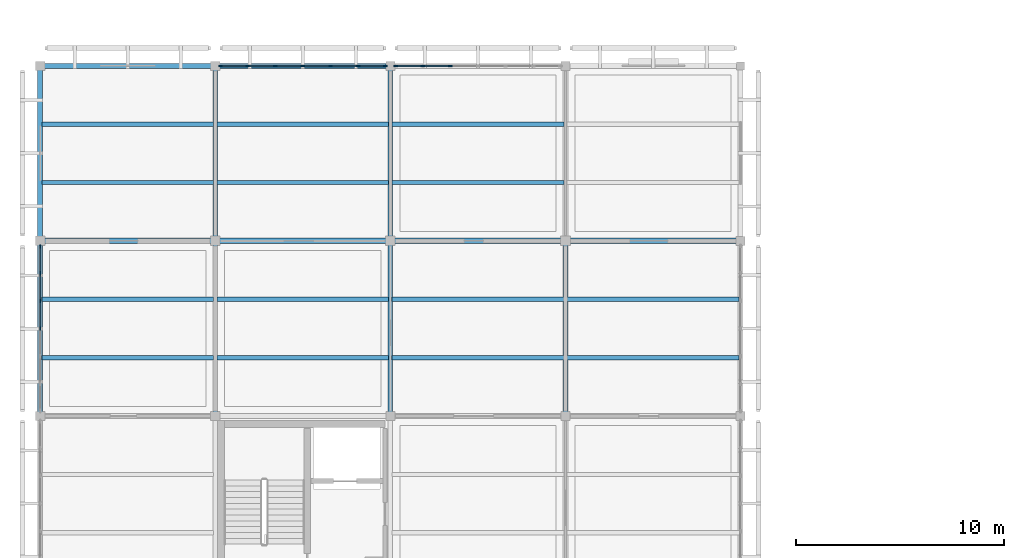
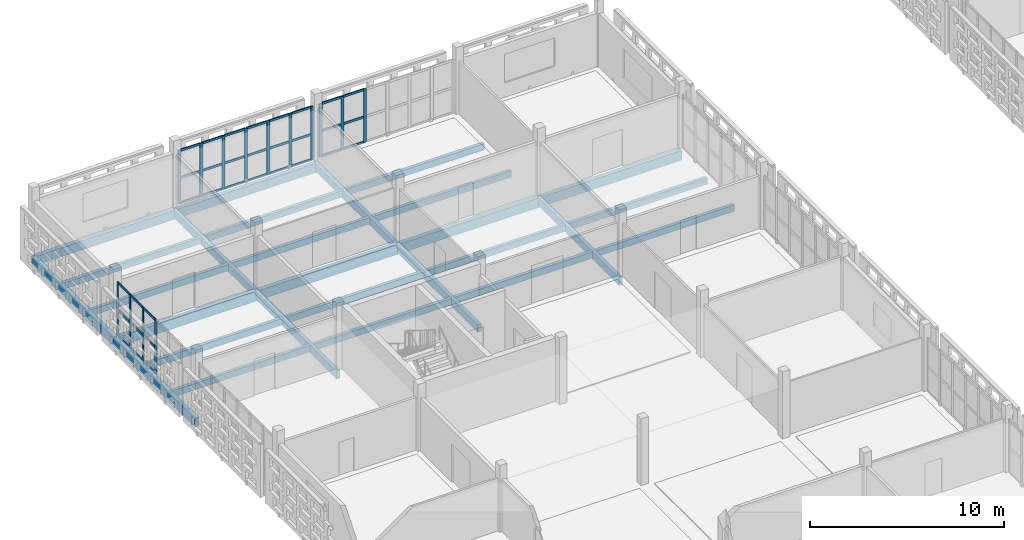
# One storey, part 47 of 140: 47 members, 27 beams, 3 elements without a shape of their own.
"""IFC4 building model written with IfcOpenShell, lengths in metres."""

from ifc_helpers import new_model, si_unit, direction, frame, origin, origin_2d, place, context, subcontext, project, spatial, rectangle, extrude, material, layer, layer_set, material_profile, profile_set, type_object, element, aggregate, save


model = new_model("IFC4")

# Units and contexts
model_context = context("Model", 3, precision=1e-05, world=origin(), true_north=direction((0.0, 1.0)))
body_context = subcontext(model_context, "Body", "Model", "MODEL_VIEW")
ifc_project = project(units=[si_unit("LENGTHUNIT", "METRE"), si_unit("AREAUNIT", "SQUARE_METRE"), si_unit("VOLUMEUNIT", "CUBIC_METRE"), si_unit("PLANEANGLEUNIT", "RADIAN"), si_unit("MASSUNIT", "GRAM", prefix="KILO")], contexts=[model_context])

# Site, building, storey
site_placement = place(None, origin())
site = spatial("IfcSite", under=ifc_project, at=site_placement, CompositionType="ELEMENT")
building_placement = place(site_placement, origin())
building = spatial("IfcBuilding", under=site, at=building_placement, Name="Varnapada Polytechnic", CompositionType="ELEMENT")
storey_placement = place(building_placement, frame((0.0, 0.0, 13.800048828125)))
storey = spatial("IfcBuildingStorey", under=building, at=storey_placement, Name="L03", CompositionType="ELEMENT", Elevation=13.800048828125)

# Beams
ifc_material_1 = material(Name="Glulam GL32h", Category="wood")
ifc_material_profile_1 = material_profile(ifc_material_1, rectangle(XDim=0.199951171875, YDim=0.39990234375, at=origin_2d()), Name="GL 200x400")
ifc_profile_set_1 = profile_set([ifc_material_profile_1], Name="Glulam GL32h")
beam_type_1 = type_object("IfcBeamType", Name="Library/laboratory glulam floor joist GJ-01 (GL 200x400)", PredefinedType="JOIST", material=ifc_profile_set_1)
for number, where, z_axis, x_axis, name in (
    (1, (0.080078125, 112.0, -0.43994140625), (1.0, 0.0, 0.0), (0.0, 1.0, 0.0), "L03 floor joist 1/14.1"),
    (2, (0.080078125, 114.800048828125, -0.43994140625), (1.0, 0.0, 0.0), (0.0, 1.0, 0.0), "L03 floor joist 1/14.2"),
    (3, (0.080078125, 120.39990234375, -0.43994140625), (1.0, 0.0, 0.0), (0.0, 1.0, 0.0), "L03 floor joist 1/15.1"),
    (4, (0.080078125, 123.199951171875, -0.43994140625), (1.0, 0.0, 0.0), (0.0, 1.0, 0.0), "L03 floor joist 1/15.2"),
    (5, (8.47998046875, 112.0, -0.43994140625), (1.0, 0.0, 0.0), (0.0, 1.0, 0.0), "L03 floor joist 2/14.1"),
    (6, (8.47998046875, 114.800048828125, -0.43994140625), (1.0, 0.0, 0.0), (0.0, 1.0, 0.0), "L03 floor joist 2/14.2"),
    (7, (8.47998046875, 120.39990234375, -0.43994140625), (1.0, 0.0, 0.0), (0.0, 1.0, 0.0), "L03 floor joist 2/15.1"),
    (8, (8.47998046875, 123.199951171875, -0.43994140625), (1.0, 0.0, 0.0), (0.0, 1.0, 0.0), "L03 floor joist 2/15.2"),
):
    element("IfcBeam", number, at=place(storey_placement, frame(where, z_axis=z_axis, x_axis=x_axis)), inside=storey, type_object=beam_type_1, Name=name, PredefinedType="JOIST", context=body_context, shape_type="SweptSolid", body=[
        extrude(rectangle(XDim=0.199951171875, YDim=0.39990234375, at=origin_2d()), origin(), (0.0, 0.0, 1.0), 8.239990234375),
    ])
for number, where, z_axis, x_axis, name in (
    (9, (16.8798828125, 112.0, -0.43994140625), (1.0, 0.0, 0.0), (0.0, 1.0, 0.0), "L03 floor joist 3/14.1"),
    (10, (16.8798828125, 114.800048828125, -0.43994140625), (1.0, 0.0, 0.0), (0.0, 1.0, 0.0), "L03 floor joist 3/14.2"),
    (11, (16.8798828125, 120.39990234375, -0.43994140625), (1.0, 0.0, 0.0), (0.0, 1.0, 0.0), "L03 floor joist 3/15.1"),
    (12, (16.8798828125, 123.199951171875, -0.43994140625), (1.0, 0.0, 0.0), (0.0, 1.0, 0.0), "L03 floor joist 3/15.2"),
):
    element("IfcBeam", number, at=place(storey_placement, frame(where, z_axis=z_axis, x_axis=x_axis)), inside=storey, type_object=beam_type_1, Name=name, PredefinedType="JOIST", context=body_context, shape_type="SweptSolid", body=[
        extrude(rectangle(XDim=0.199951171875, YDim=0.39990234375, at=origin_2d()), origin(), (0.0, 0.0, 1.0), 8.240234375),
    ])
for number, where, z_axis, x_axis, name in (
    (13, (25.280029296875, 112.0, -0.43994140625), (1.0, 0.0, 0.0), (0.0, 1.0, 0.0), "L03 floor joist 4/14.1"),
    (14, (25.280029296875, 114.800048828125, -0.43994140625), (1.0, 0.0, 0.0), (0.0, 1.0, 0.0), "L03 floor joist 4/14.2"),
):
    element("IfcBeam", number, at=place(storey_placement, frame(where, z_axis=z_axis, x_axis=x_axis)), inside=storey, type_object=beam_type_1, Name=name, PredefinedType="JOIST", context=body_context, shape_type="SweptSolid", body=[
        extrude(rectangle(XDim=0.199951171875, YDim=0.39990234375, at=origin_2d()), origin(), (0.0, 0.0, 1.0), 8.239990234375),
    ])

# Curtain wall, members
ifc_material_2 = material(Name="Double low-E laminated glass", Category="glass")
ifc_layer = layer(ifc_material_2, 0.179931640625)
ifc_layer_set = layer_set([ifc_layer], Name="Double low-E laminated glass")
curtain_wall_type = type_object("IfcCurtainWallType", Name="Curtain Wall CW-03", PredefinedType="NOTDEFINED", material=ifc_layer_set)
curtain_wall_1_placement = place(storey_placement, origin())
curtain_wall_1 = element("IfcCurtainWall", 15, at=curtain_wall_1_placement, inside=storey, type_object=curtain_wall_type, Name="L03 unitised curtain wall CW-03 (210)", PredefinedType="NOTDEFINED")
ifc_material_3 = material(Name="Anodised aluminium", Category="aluminium")
ifc_material_profile_2 = material_profile(ifc_material_3, rectangle(XDim=0.06494140625, YDim=0.179931640625, at=origin_2d()), Name="ALU M65x180")
ifc_profile_set_2 = profile_set([ifc_material_profile_2], Name="Anodised aluminium")
member_type_1 = type_object("IfcMemberType", Name="Mullion M-02", PredefinedType="MULLION", material=ifc_profile_set_2)
member_1_placement = place(storey_placement, frame((0.0, 113.39501953125, 0.0), z_axis=(0.0, 0.0, 1.0), x_axis=(-1.0, 0.0, 0.0)))
member_1 = element("IfcMember", 16, at=member_1_placement, type_object=member_type_1, Name="CW-03 mullion 4", PredefinedType="MULLION", context=body_context, shape_type="SweptSolid", body=[
    extrude(rectangle(XDim=0.06494140625, YDim=0.179931640625, at=origin_2d()), origin(), (0.0, 0.0, 1.0), 3.35986328125),
])
member_2_placement = place(storey_placement, frame((0.0, 114.719970703125, 0.0), z_axis=(0.0, 0.0, 1.0), x_axis=(-1.0, 0.0, 0.0)))
member_2 = element("IfcMember", 17, at=member_2_placement, type_object=member_type_1, Name="CW-03 mullion 5", PredefinedType="MULLION", context=body_context, shape_type="SweptSolid", body=[
    extrude(rectangle(XDim=0.06494140625, YDim=0.179931640625, at=origin_2d()), origin(), (0.0, 0.0, 1.0), 3.35986328125),
])
member_3_placement = place(storey_placement, frame((0.0, 116.044921875, 0.0), z_axis=(0.0, 0.0, 1.0), x_axis=(-1.0, 0.0, 0.0)))
member_3 = element("IfcMember", 18, at=member_3_placement, type_object=member_type_1, Name="CW-03 mullion 6", PredefinedType="MULLION", context=body_context, shape_type="SweptSolid", body=[
    extrude(rectangle(XDim=0.06494140625, YDim=0.179931640625, at=origin_2d()), origin(), (0.0, 0.0, 1.0), 3.35986328125),
])
member_4_placement = place(storey_placement, frame((0.0, 117.33740234375, 0.0), z_axis=(0.0, 0.0, 1.0), x_axis=(-1.0, 0.0, 0.0)))
member_4 = element("IfcMember", 19, at=member_4_placement, type_object=member_type_1, Name="CW-03 mullion 7", PredefinedType="MULLION", context=body_context, shape_type="SweptSolid", body=[
    extrude(rectangle(XDim=0.06494140625, YDim=0.179931640625, at=origin_2d()), origin(), (0.0, 0.0, 1.0), 3.35986328125),
])

curtain_wall_2_placement = place(storey_placement, origin())
curtain_wall_2 = element("IfcCurtainWall", 20, at=curtain_wall_2_placement, inside=storey, type_object=curtain_wall_type, Name="L03 unitised curtain wall CW-03 (213)", PredefinedType="NOTDEFINED")
member_5_placement = place(storey_placement, frame((8.652587890625, 126.0, 0.0), z_axis=(0.0, 0.0, 1.0), x_axis=(0.0, 1.0, 0.0)))
member_5 = element("IfcMember", 21, at=member_5_placement, type_object=member_type_1, Name="CW-03 mullion 1", PredefinedType="MULLION", context=body_context, shape_type="SweptSolid", body=[
    extrude(rectangle(XDim=0.06494140625, YDim=0.179931640625, at=origin_2d()), origin(), (0.0, 0.0, 1.0), 3.35986328125),
])
member_6_placement = place(storey_placement, frame((9.94677734375, 126.0, 0.0), z_axis=(0.0, 0.0, 1.0), x_axis=(0.0, 1.0, 0.0)))
member_6 = element("IfcMember", 22, at=member_6_placement, type_object=member_type_1, Name="CW-03 mullion 2", PredefinedType="MULLION", context=body_context, shape_type="SweptSolid", body=[
    extrude(rectangle(XDim=0.06494140625, YDim=0.179931640625, at=origin_2d()), origin(), (0.0, 0.0, 1.0), 3.35986328125),
])
member_7_placement = place(storey_placement, frame((11.2734375, 126.0, 0.0), z_axis=(0.0, 0.0, 1.0), x_axis=(0.0, 1.0, 0.0)))
member_7 = element("IfcMember", 23, at=member_7_placement, type_object=member_type_1, Name="CW-03 mullion 3", PredefinedType="MULLION", context=body_context, shape_type="SweptSolid", body=[
    extrude(rectangle(XDim=0.06494140625, YDim=0.179931640625, at=origin_2d()), origin(), (0.0, 0.0, 1.0), 3.35986328125),
])
member_8_placement = place(storey_placement, frame((12.60009765625, 126.0, 0.0), z_axis=(0.0, 0.0, 1.0), x_axis=(0.0, 1.0, 0.0)))
member_8 = element("IfcMember", 24, at=member_8_placement, type_object=member_type_1, Name="CW-03 mullion 4", PredefinedType="MULLION", context=body_context, shape_type="SweptSolid", body=[
    extrude(rectangle(XDim=0.06494140625, YDim=0.179931640625, at=origin_2d()), origin(), (0.0, 0.0, 1.0), 3.35986328125),
])
member_9_placement = place(storey_placement, frame((13.9267578125, 126.0, 0.0), z_axis=(0.0, 0.0, 1.0), x_axis=(0.0, 1.0, 0.0)))
member_9 = element("IfcMember", 25, at=member_9_placement, type_object=member_type_1, Name="CW-03 mullion 5", PredefinedType="MULLION", context=body_context, shape_type="SweptSolid", body=[
    extrude(rectangle(XDim=0.06494140625, YDim=0.179931640625, at=origin_2d()), origin(), (0.0, 0.0, 1.0), 3.35986328125),
])
member_10_placement = place(storey_placement, frame((15.25341796875, 126.0, 0.0), z_axis=(0.0, 0.0, 1.0), x_axis=(0.0, 1.0, 0.0)))
member_10 = element("IfcMember", 26, at=member_10_placement, type_object=member_type_1, Name="CW-03 mullion 6", PredefinedType="MULLION", context=body_context, shape_type="SweptSolid", body=[
    extrude(rectangle(XDim=0.06494140625, YDim=0.179931640625, at=origin_2d()), origin(), (0.0, 0.0, 1.0), 3.35986328125),
])
member_11_placement = place(storey_placement, frame((16.547607421875, 126.0, 0.0), z_axis=(0.0, 0.0, 1.0), x_axis=(0.0, 1.0, 0.0)))
member_11 = element("IfcMember", 27, at=member_11_placement, type_object=member_type_1, Name="CW-03 mullion 7", PredefinedType="MULLION", context=body_context, shape_type="SweptSolid", body=[
    extrude(rectangle(XDim=0.06494140625, YDim=0.179931640625, at=origin_2d()), origin(), (0.0, 0.0, 1.0), 3.35986328125),
])

curtain_wall_3_placement = place(storey_placement, origin())
curtain_wall_3 = element("IfcCurtainWall", 28, at=curtain_wall_3_placement, inside=storey, type_object=curtain_wall_type, Name="L03 unitised curtain wall CW-03 (215)", PredefinedType="NOTDEFINED")
member_12_placement = place(storey_placement, frame((17.052490234375, 126.0, 0.0), z_axis=(0.0, 0.0, 1.0), x_axis=(0.0, 1.0, 0.0)))
member_12 = element("IfcMember", 29, at=member_12_placement, type_object=member_type_1, Name="CW-03 mullion 1", PredefinedType="MULLION", context=body_context, shape_type="SweptSolid", body=[
    extrude(rectangle(XDim=0.06494140625, YDim=0.179931640625, at=origin_2d()), origin(), (0.0, 0.0, 1.0), 3.35986328125),
])
member_13_placement = place(storey_placement, frame((18.3466796875, 126.0, 0.0), z_axis=(0.0, 0.0, 1.0), x_axis=(0.0, 1.0, 0.0)))
member_13 = element("IfcMember", 30, at=member_13_placement, type_object=member_type_1, Name="CW-03 mullion 2", PredefinedType="MULLION", context=body_context, shape_type="SweptSolid", body=[
    extrude(rectangle(XDim=0.06494140625, YDim=0.179931640625, at=origin_2d()), origin(), (0.0, 0.0, 1.0), 3.35986328125),
])
member_14_placement = place(storey_placement, frame((19.67333984375, 126.0, 0.0), z_axis=(0.0, 0.0, 1.0), x_axis=(0.0, 1.0, 0.0)))
member_14 = element("IfcMember", 31, at=member_14_placement, type_object=member_type_1, Name="CW-03 mullion 3", PredefinedType="MULLION", context=body_context, shape_type="SweptSolid", body=[
    extrude(rectangle(XDim=0.06494140625, YDim=0.179931640625, at=origin_2d()), origin(), (0.0, 0.0, 1.0), 3.35986328125),
])

# Beams
ifc_material_profile_3 = material_profile(ifc_material_1, rectangle(XDim=0.239990234375, YDim=0.56005859375, at=origin_2d()), Name="GL 240x560")
ifc_profile_set_3 = profile_set([ifc_material_profile_3], Name="Glulam GL32h")
beam_type_2 = type_object("IfcBeamType", Name="Perimeter glulam spandrel beam SP-02 (GL 240x560)", PredefinedType="SPANDREL", material=ifc_profile_set_3)
beam_1_placement = place(storey_placement, frame((0.0, 126.0, -0.52001953125), z_axis=(1.0, 0.0, 0.0), x_axis=(0.0, 1.0, 0.0)))
element("IfcBeam", 32, at=beam_1_placement, inside=storey, type_object=beam_type_2, Name="L03 beam X 1-2 at Y16", PredefinedType="SPANDREL", context=body_context, shape_type="SweptSolid", body=[
    extrude(rectangle(XDim=0.239990234375, YDim=0.56005859375, at=origin_2d()), origin(), (0.0, 0.0, 1.0), 8.39990234375),
])
for number, where, z_axis, x_axis, name in (
    (33, (8.39990234375, 126.0, -0.52001953125), (1.0, 0.0, 0.0), (0.0, 1.0, 0.0), "L03 beam X 2-3 at Y16"),
    (34, (0.0, 109.199951171875, -0.52001953125), (0.0, 1.0, 0.0), (-1.0, 0.0, 0.0), "L03 beam Y 14-15 at X1"),
):
    element("IfcBeam", number, at=place(storey_placement, frame(where, z_axis=z_axis, x_axis=x_axis)), inside=storey, type_object=beam_type_2, Name=name, PredefinedType="SPANDREL", context=body_context, shape_type="SweptSolid", body=[
        extrude(rectangle(XDim=0.239990234375, YDim=0.56005859375, at=origin_2d()), origin(), (0.0, 0.0, 1.0), 8.400146484375),
    ])
beam_2_placement = place(storey_placement, frame((0.0, 117.60009765625, -0.52001953125), z_axis=(0.0, 1.0, 0.0), x_axis=(-1.0, 0.0, 0.0)))
element("IfcBeam", 35, at=beam_2_placement, inside=storey, type_object=beam_type_2, Name="L03 beam Y 15-16 at X1", PredefinedType="SPANDREL", context=body_context, shape_type="SweptSolid", body=[
    extrude(rectangle(XDim=0.239990234375, YDim=0.56005859375, at=origin_2d()), origin(), (0.0, 0.0, 1.0), 8.39990234375),
])
ifc_material_profile_4 = material_profile(ifc_material_1, rectangle(XDim=0.260009765625, YDim=0.60009765625, at=origin_2d()), Name="GL 260x600")
ifc_profile_set_4 = profile_set([ifc_material_profile_4], Name="Glulam GL32h")
beam_type_3 = type_object("IfcBeamType", Name="Seminar wing glulam girder GG-05 (GL 260x600)", PredefinedType="BEAM", material=ifc_profile_set_4)
beam_3_placement = place(storey_placement, frame((0.0, 117.60009765625, -0.5400390625), z_axis=(1.0, 0.0, 0.0), x_axis=(0.0, 1.0, 0.0)))
element("IfcBeam", 36, at=beam_3_placement, inside=storey, type_object=beam_type_3, Name="L03 beam X 1-2 at Y15", PredefinedType="BEAM", context=body_context, shape_type="SweptSolid", body=[
    extrude(rectangle(XDim=0.260009765625, YDim=0.60009765625, at=origin_2d()), origin(), (0.0, 0.0, 1.0), 8.39990234375),
])
beam_4_placement = place(storey_placement, frame((8.39990234375, 117.60009765625, -0.5400390625), z_axis=(1.0, 0.0, 0.0), x_axis=(0.0, 1.0, 0.0)))
element("IfcBeam", 37, at=beam_4_placement, inside=storey, type_object=beam_type_3, Name="L03 beam X 2-3 at Y15", PredefinedType="BEAM", context=body_context, shape_type="SweptSolid", body=[
    extrude(rectangle(XDim=0.260009765625, YDim=0.60009765625, at=origin_2d()), origin(), (0.0, 0.0, 1.0), 8.400146484375),
])
beam_5_placement = place(storey_placement, frame((16.800048828125, 117.60009765625, -0.5400390625), z_axis=(1.0, 0.0, 0.0), x_axis=(0.0, 1.0, 0.0)))
element("IfcBeam", 38, at=beam_5_placement, inside=storey, type_object=beam_type_3, Name="L03 beam X 3-4 at Y15", PredefinedType="BEAM", context=body_context, shape_type="SweptSolid", body=[
    extrude(rectangle(XDim=0.260009765625, YDim=0.60009765625, at=origin_2d()), origin(), (0.0, 0.0, 1.0), 8.39990234375),
])
beam_6_placement = place(storey_placement, frame((25.199951171875, 117.60009765625, -0.5400390625), z_axis=(1.0, 0.0, 0.0), x_axis=(0.0, 1.0, 0.0)))
element("IfcBeam", 39, at=beam_6_placement, inside=storey, type_object=beam_type_3, Name="L03 beam X 4-5 at Y15", PredefinedType="BEAM", context=body_context, shape_type="SweptSolid", body=[
    extrude(rectangle(XDim=0.260009765625, YDim=0.60009765625, at=origin_2d()), origin(), (0.0, 0.0, 1.0), 8.400146484375),
])

# Member
ifc_material_profile_5 = material_profile(ifc_material_3, rectangle(XDim=0.06494140625, YDim=0.139892578125, at=origin_2d()), Name="ALU T65x140")
ifc_profile_set_5 = profile_set([ifc_material_profile_5], Name="Anodised aluminium")
member_type_2 = type_object("IfcMemberType", Name="Transom T-02", PredefinedType="USERDEFINED", material=ifc_profile_set_5)
member_15_placement = place(storey_placement, frame((0.0, 113.427490234375, 0.032470703125), z_axis=(0.0, 1.0, 0.0), x_axis=(-1.0, 0.0, 0.0)))
member_15 = element("IfcMember", 40, at=member_15_placement, type_object=member_type_2, Name="CW-03 transom 4.1", ObjectType="TRANSOM", PredefinedType="USERDEFINED", context=body_context, shape_type="SweptSolid", body=[
    extrude(rectangle(XDim=0.06494140625, YDim=0.139892578125, at=origin_2d()), origin(), (0.0, 0.0, 1.0), 1.260009765625),
])

member_16_placement = place(storey_placement, frame((0.0, 113.427490234375, 1.61279296875), z_axis=(0.0, 1.0, 0.0), x_axis=(-1.0, 0.0, 0.0)))
member_16 = element("IfcMember", 41, at=member_16_placement, type_object=member_type_2, Name="CW-03 transom 4.2", ObjectType="TRANSOM", PredefinedType="USERDEFINED", context=body_context, shape_type="SweptSolid", body=[
    extrude(rectangle(XDim=0.06494140625, YDim=0.139892578125, at=origin_2d()), origin(), (0.0, 0.0, 1.0), 1.260009765625),
])

member_17_placement = place(storey_placement, frame((0.0, 113.427490234375, 3.327392578125), z_axis=(0.0, 1.0, 0.0), x_axis=(-1.0, 0.0, 0.0)))
member_17 = element("IfcMember", 42, at=member_17_placement, type_object=member_type_2, Name="CW-03 transom 4.3", ObjectType="TRANSOM", PredefinedType="USERDEFINED", context=body_context, shape_type="SweptSolid", body=[
    extrude(rectangle(XDim=0.06494140625, YDim=0.139892578125, at=origin_2d()), origin(), (0.0, 0.0, 1.0), 1.260009765625),
])

member_18_placement = place(storey_placement, frame((0.0, 114.75244140625, 0.032470703125), z_axis=(0.0, 1.0, 0.0), x_axis=(-1.0, 0.0, 0.0)))
member_18 = element("IfcMember", 43, at=member_18_placement, type_object=member_type_2, Name="CW-03 transom 5.1", ObjectType="TRANSOM", PredefinedType="USERDEFINED", context=body_context, shape_type="SweptSolid", body=[
    extrude(rectangle(XDim=0.06494140625, YDim=0.139892578125, at=origin_2d()), origin(), (0.0, 0.0, 1.0), 1.260009765625),
])

member_19_placement = place(storey_placement, frame((0.0, 114.75244140625, 1.61279296875), z_axis=(0.0, 1.0, 0.0), x_axis=(-1.0, 0.0, 0.0)))
member_19 = element("IfcMember", 44, at=member_19_placement, type_object=member_type_2, Name="CW-03 transom 5.2", ObjectType="TRANSOM", PredefinedType="USERDEFINED", context=body_context, shape_type="SweptSolid", body=[
    extrude(rectangle(XDim=0.06494140625, YDim=0.139892578125, at=origin_2d()), origin(), (0.0, 0.0, 1.0), 1.260009765625),
])

member_20_placement = place(storey_placement, frame((0.0, 114.75244140625, 3.327392578125), z_axis=(0.0, 1.0, 0.0), x_axis=(-1.0, 0.0, 0.0)))
member_20 = element("IfcMember", 45, at=member_20_placement, type_object=member_type_2, Name="CW-03 transom 5.3", ObjectType="TRANSOM", PredefinedType="USERDEFINED", context=body_context, shape_type="SweptSolid", body=[
    extrude(rectangle(XDim=0.06494140625, YDim=0.139892578125, at=origin_2d()), origin(), (0.0, 0.0, 1.0), 1.260009765625),
])

member_21_placement = place(storey_placement, frame((0.0, 116.077392578125, 0.032470703125), z_axis=(0.0, 1.0, 0.0), x_axis=(-1.0, 0.0, 0.0)))
member_21 = element("IfcMember", 46, at=member_21_placement, type_object=member_type_2, Name="CW-03 transom 6.1", ObjectType="TRANSOM", PredefinedType="USERDEFINED", context=body_context, shape_type="SweptSolid", body=[
    extrude(rectangle(XDim=0.06494140625, YDim=0.139892578125, at=origin_2d()), origin(), (0.0, 0.0, 1.0), 1.2275390625),
])

member_22_placement = place(storey_placement, frame((0.0, 116.077392578125, 1.61279296875), z_axis=(0.0, 1.0, 0.0), x_axis=(-1.0, 0.0, 0.0)))
member_22 = element("IfcMember", 47, at=member_22_placement, type_object=member_type_2, Name="CW-03 transom 6.2", ObjectType="TRANSOM", PredefinedType="USERDEFINED", context=body_context, shape_type="SweptSolid", body=[
    extrude(rectangle(XDim=0.06494140625, YDim=0.139892578125, at=origin_2d()), origin(), (0.0, 0.0, 1.0), 1.2275390625),
])

member_23_placement = place(storey_placement, frame((0.0, 116.077392578125, 3.327392578125), z_axis=(0.0, 1.0, 0.0), x_axis=(-1.0, 0.0, 0.0)))
member_23 = element("IfcMember", 48, at=member_23_placement, type_object=member_type_2, Name="CW-03 transom 6.3", ObjectType="TRANSOM", PredefinedType="USERDEFINED", context=body_context, shape_type="SweptSolid", body=[
    extrude(rectangle(XDim=0.06494140625, YDim=0.139892578125, at=origin_2d()), origin(), (0.0, 0.0, 1.0), 1.2275390625),
])

aggregate(curtain_wall_1, [member_1, member_2, member_3, member_4, member_15, member_16, member_17, member_18, member_19, member_20, member_21, member_22, member_23])

member_24_placement = place(storey_placement, frame((8.68505859375, 126.0, 0.032470703125), z_axis=(1.0, 0.0, 0.0), x_axis=(0.0, 1.0, 0.0)))
member_24 = element("IfcMember", 49, at=member_24_placement, type_object=member_type_2, Name="CW-03 transom 1.1", ObjectType="TRANSOM", PredefinedType="USERDEFINED", context=body_context, shape_type="SweptSolid", body=[
    extrude(rectangle(XDim=0.06494140625, YDim=0.139892578125, at=origin_2d()), origin(), (0.0, 0.0, 1.0), 1.22900390625),
])

member_25_placement = place(storey_placement, frame((8.68505859375, 126.0, 1.61279296875), z_axis=(1.0, 0.0, 0.0), x_axis=(0.0, 1.0, 0.0)))
member_25 = element("IfcMember", 50, at=member_25_placement, type_object=member_type_2, Name="CW-03 transom 1.2", ObjectType="TRANSOM", PredefinedType="USERDEFINED", context=body_context, shape_type="SweptSolid", body=[
    extrude(rectangle(XDim=0.06494140625, YDim=0.139892578125, at=origin_2d()), origin(), (0.0, 0.0, 1.0), 1.22900390625),
])

member_26_placement = place(storey_placement, frame((8.68505859375, 126.0, 3.327392578125), z_axis=(1.0, 0.0, 0.0), x_axis=(0.0, 1.0, 0.0)))
member_26 = element("IfcMember", 51, at=member_26_placement, type_object=member_type_2, Name="CW-03 transom 1.3", ObjectType="TRANSOM", PredefinedType="USERDEFINED", context=body_context, shape_type="SweptSolid", body=[
    extrude(rectangle(XDim=0.06494140625, YDim=0.139892578125, at=origin_2d()), origin(), (0.0, 0.0, 1.0), 1.22900390625),
])

member_27_placement = place(storey_placement, frame((9.979248046875, 126.0, 0.032470703125), z_axis=(1.0, 0.0, 0.0), x_axis=(0.0, 1.0, 0.0)))
member_27 = element("IfcMember", 52, at=member_27_placement, type_object=member_type_2, Name="CW-03 transom 2.1", ObjectType="TRANSOM", PredefinedType="USERDEFINED", context=body_context, shape_type="SweptSolid", body=[
    extrude(rectangle(XDim=0.06494140625, YDim=0.139892578125, at=origin_2d()), origin(), (0.0, 0.0, 1.0), 1.261474609375),
])

member_28_placement = place(storey_placement, frame((9.979248046875, 126.0, 1.61279296875), z_axis=(1.0, 0.0, 0.0), x_axis=(0.0, 1.0, 0.0)))
member_28 = element("IfcMember", 53, at=member_28_placement, type_object=member_type_2, Name="CW-03 transom 2.2", ObjectType="TRANSOM", PredefinedType="USERDEFINED", context=body_context, shape_type="SweptSolid", body=[
    extrude(rectangle(XDim=0.06494140625, YDim=0.139892578125, at=origin_2d()), origin(), (0.0, 0.0, 1.0), 1.261474609375),
])

member_29_placement = place(storey_placement, frame((9.979248046875, 126.0, 3.327392578125), z_axis=(1.0, 0.0, 0.0), x_axis=(0.0, 1.0, 0.0)))
member_29 = element("IfcMember", 54, at=member_29_placement, type_object=member_type_2, Name="CW-03 transom 2.3", ObjectType="TRANSOM", PredefinedType="USERDEFINED", context=body_context, shape_type="SweptSolid", body=[
    extrude(rectangle(XDim=0.06494140625, YDim=0.139892578125, at=origin_2d()), origin(), (0.0, 0.0, 1.0), 1.261474609375),
])

member_30_placement = place(storey_placement, frame((11.305908203125, 126.0, 0.032470703125), z_axis=(1.0, 0.0, 0.0), x_axis=(0.0, 1.0, 0.0)))
member_30 = element("IfcMember", 55, at=member_30_placement, type_object=member_type_2, Name="CW-03 transom 3.1", ObjectType="TRANSOM", PredefinedType="USERDEFINED", context=body_context, shape_type="SweptSolid", body=[
    extrude(rectangle(XDim=0.06494140625, YDim=0.139892578125, at=origin_2d()), origin(), (0.0, 0.0, 1.0), 1.261474609375),
])

member_31_placement = place(storey_placement, frame((11.305908203125, 126.0, 1.61279296875), z_axis=(1.0, 0.0, 0.0), x_axis=(0.0, 1.0, 0.0)))
member_31 = element("IfcMember", 56, at=member_31_placement, type_object=member_type_2, Name="CW-03 transom 3.2", ObjectType="TRANSOM", PredefinedType="USERDEFINED", context=body_context, shape_type="SweptSolid", body=[
    extrude(rectangle(XDim=0.06494140625, YDim=0.139892578125, at=origin_2d()), origin(), (0.0, 0.0, 1.0), 1.261474609375),
])

member_32_placement = place(storey_placement, frame((11.305908203125, 126.0, 3.327392578125), z_axis=(1.0, 0.0, 0.0), x_axis=(0.0, 1.0, 0.0)))
member_32 = element("IfcMember", 57, at=member_32_placement, type_object=member_type_2, Name="CW-03 transom 3.3", ObjectType="TRANSOM", PredefinedType="USERDEFINED", context=body_context, shape_type="SweptSolid", body=[
    extrude(rectangle(XDim=0.06494140625, YDim=0.139892578125, at=origin_2d()), origin(), (0.0, 0.0, 1.0), 1.261474609375),
])

member_33_placement = place(storey_placement, frame((12.632568359375, 126.0, 0.032470703125), z_axis=(1.0, 0.0, 0.0), x_axis=(0.0, 1.0, 0.0)))
member_33 = element("IfcMember", 58, at=member_33_placement, type_object=member_type_2, Name="CW-03 transom 4.1", ObjectType="TRANSOM", PredefinedType="USERDEFINED", context=body_context, shape_type="SweptSolid", body=[
    extrude(rectangle(XDim=0.06494140625, YDim=0.139892578125, at=origin_2d()), origin(), (0.0, 0.0, 1.0), 1.26171875),
])

member_34_placement = place(storey_placement, frame((12.632568359375, 126.0, 1.61279296875), z_axis=(1.0, 0.0, 0.0), x_axis=(0.0, 1.0, 0.0)))
member_34 = element("IfcMember", 59, at=member_34_placement, type_object=member_type_2, Name="CW-03 transom 4.2", ObjectType="TRANSOM", PredefinedType="USERDEFINED", context=body_context, shape_type="SweptSolid", body=[
    extrude(rectangle(XDim=0.06494140625, YDim=0.139892578125, at=origin_2d()), origin(), (0.0, 0.0, 1.0), 1.26171875),
])

member_35_placement = place(storey_placement, frame((12.632568359375, 126.0, 3.327392578125), z_axis=(1.0, 0.0, 0.0), x_axis=(0.0, 1.0, 0.0)))
member_35 = element("IfcMember", 60, at=member_35_placement, type_object=member_type_2, Name="CW-03 transom 4.3", ObjectType="TRANSOM", PredefinedType="USERDEFINED", context=body_context, shape_type="SweptSolid", body=[
    extrude(rectangle(XDim=0.06494140625, YDim=0.139892578125, at=origin_2d()), origin(), (0.0, 0.0, 1.0), 1.26171875),
])

member_36_placement = place(storey_placement, frame((13.959228515625, 126.0, 0.032470703125), z_axis=(1.0, 0.0, 0.0), x_axis=(0.0, 1.0, 0.0)))
member_36 = element("IfcMember", 61, at=member_36_placement, type_object=member_type_2, Name="CW-03 transom 5.1", ObjectType="TRANSOM", PredefinedType="USERDEFINED", context=body_context, shape_type="SweptSolid", body=[
    extrude(rectangle(XDim=0.06494140625, YDim=0.139892578125, at=origin_2d()), origin(), (0.0, 0.0, 1.0), 1.26171875),
])

member_37_placement = place(storey_placement, frame((13.959228515625, 126.0, 1.61279296875), z_axis=(1.0, 0.0, 0.0), x_axis=(0.0, 1.0, 0.0)))
member_37 = element("IfcMember", 62, at=member_37_placement, type_object=member_type_2, Name="CW-03 transom 5.2", ObjectType="TRANSOM", PredefinedType="USERDEFINED", context=body_context, shape_type="SweptSolid", body=[
    extrude(rectangle(XDim=0.06494140625, YDim=0.139892578125, at=origin_2d()), origin(), (0.0, 0.0, 1.0), 1.26171875),
])

member_38_placement = place(storey_placement, frame((13.959228515625, 126.0, 3.327392578125), z_axis=(1.0, 0.0, 0.0), x_axis=(0.0, 1.0, 0.0)))
member_38 = element("IfcMember", 63, at=member_38_placement, type_object=member_type_2, Name="CW-03 transom 5.3", ObjectType="TRANSOM", PredefinedType="USERDEFINED", context=body_context, shape_type="SweptSolid", body=[
    extrude(rectangle(XDim=0.06494140625, YDim=0.139892578125, at=origin_2d()), origin(), (0.0, 0.0, 1.0), 1.26171875),
])

member_39_placement = place(storey_placement, frame((15.285888671875, 126.0, 0.032470703125), z_axis=(1.0, 0.0, 0.0), x_axis=(0.0, 1.0, 0.0)))
member_39 = element("IfcMember", 64, at=member_39_placement, type_object=member_type_2, Name="CW-03 transom 6.1", ObjectType="TRANSOM", PredefinedType="USERDEFINED", context=body_context, shape_type="SweptSolid", body=[
    extrude(rectangle(XDim=0.06494140625, YDim=0.139892578125, at=origin_2d()), origin(), (0.0, 0.0, 1.0), 1.22900390625),
])

member_40_placement = place(storey_placement, frame((15.285888671875, 126.0, 1.61279296875), z_axis=(1.0, 0.0, 0.0), x_axis=(0.0, 1.0, 0.0)))
member_40 = element("IfcMember", 65, at=member_40_placement, type_object=member_type_2, Name="CW-03 transom 6.2", ObjectType="TRANSOM", PredefinedType="USERDEFINED", context=body_context, shape_type="SweptSolid", body=[
    extrude(rectangle(XDim=0.06494140625, YDim=0.139892578125, at=origin_2d()), origin(), (0.0, 0.0, 1.0), 1.22900390625),
])

member_41_placement = place(storey_placement, frame((15.285888671875, 126.0, 3.327392578125), z_axis=(1.0, 0.0, 0.0), x_axis=(0.0, 1.0, 0.0)))
member_41 = element("IfcMember", 66, at=member_41_placement, type_object=member_type_2, Name="CW-03 transom 6.3", ObjectType="TRANSOM", PredefinedType="USERDEFINED", context=body_context, shape_type="SweptSolid", body=[
    extrude(rectangle(XDim=0.06494140625, YDim=0.139892578125, at=origin_2d()), origin(), (0.0, 0.0, 1.0), 1.22900390625),
])

aggregate(curtain_wall_2, [member_5, member_6, member_7, member_8, member_9, member_10, member_11, member_24, member_25, member_26, member_27, member_28, member_29, member_30, member_31, member_32, member_33, member_34, member_35, member_36, member_37, member_38, member_39, member_40, member_41])

member_42_placement = place(storey_placement, frame((17.0849609375, 126.0, 0.032470703125), z_axis=(1.0, 0.0, 0.0), x_axis=(0.0, 1.0, 0.0)))
member_42 = element("IfcMember", 67, at=member_42_placement, type_object=member_type_2, Name="CW-03 transom 1.1", ObjectType="TRANSOM", PredefinedType="USERDEFINED", context=body_context, shape_type="SweptSolid", body=[
    extrude(rectangle(XDim=0.06494140625, YDim=0.139892578125, at=origin_2d()), origin(), (0.0, 0.0, 1.0), 1.229248046875),
])

member_43_placement = place(storey_placement, frame((17.0849609375, 126.0, 1.61279296875), z_axis=(1.0, 0.0, 0.0), x_axis=(0.0, 1.0, 0.0)))
member_43 = element("IfcMember", 68, at=member_43_placement, type_object=member_type_2, Name="CW-03 transom 1.2", ObjectType="TRANSOM", PredefinedType="USERDEFINED", context=body_context, shape_type="SweptSolid", body=[
    extrude(rectangle(XDim=0.06494140625, YDim=0.139892578125, at=origin_2d()), origin(), (0.0, 0.0, 1.0), 1.229248046875),
])

member_44_placement = place(storey_placement, frame((17.0849609375, 126.0, 3.327392578125), z_axis=(1.0, 0.0, 0.0), x_axis=(0.0, 1.0, 0.0)))
member_44 = element("IfcMember", 69, at=member_44_placement, type_object=member_type_2, Name="CW-03 transom 1.3", ObjectType="TRANSOM", PredefinedType="USERDEFINED", context=body_context, shape_type="SweptSolid", body=[
    extrude(rectangle(XDim=0.06494140625, YDim=0.139892578125, at=origin_2d()), origin(), (0.0, 0.0, 1.0), 1.229248046875),
])

member_45_placement = place(storey_placement, frame((18.379150390625, 126.0, 0.032470703125), z_axis=(1.0, 0.0, 0.0), x_axis=(0.0, 1.0, 0.0)))
member_45 = element("IfcMember", 70, at=member_45_placement, type_object=member_type_2, Name="CW-03 transom 2.1", ObjectType="TRANSOM", PredefinedType="USERDEFINED", context=body_context, shape_type="SweptSolid", body=[
    extrude(rectangle(XDim=0.06494140625, YDim=0.139892578125, at=origin_2d()), origin(), (0.0, 0.0, 1.0), 1.26171875),
])

member_46_placement = place(storey_placement, frame((18.379150390625, 126.0, 1.61279296875), z_axis=(1.0, 0.0, 0.0), x_axis=(0.0, 1.0, 0.0)))
member_46 = element("IfcMember", 71, at=member_46_placement, type_object=member_type_2, Name="CW-03 transom 2.2", ObjectType="TRANSOM", PredefinedType="USERDEFINED", context=body_context, shape_type="SweptSolid", body=[
    extrude(rectangle(XDim=0.06494140625, YDim=0.139892578125, at=origin_2d()), origin(), (0.0, 0.0, 1.0), 1.26171875),
])

member_47_placement = place(storey_placement, frame((18.379150390625, 126.0, 3.327392578125), z_axis=(1.0, 0.0, 0.0), x_axis=(0.0, 1.0, 0.0)))
member_47 = element("IfcMember", 72, at=member_47_placement, type_object=member_type_2, Name="CW-03 transom 2.3", ObjectType="TRANSOM", PredefinedType="USERDEFINED", context=body_context, shape_type="SweptSolid", body=[
    extrude(rectangle(XDim=0.06494140625, YDim=0.139892578125, at=origin_2d()), origin(), (0.0, 0.0, 1.0), 1.26171875),
])

aggregate(curtain_wall_3, [member_12, member_13, member_14, member_42, member_43, member_44, member_45, member_46, member_47])

# Beams
ifc_material_profile_6 = material_profile(ifc_material_1, rectangle(XDim=0.219970703125, YDim=0.47998046875, at=origin_2d()), Name="GL 220x480")
ifc_profile_set_6 = profile_set([ifc_material_profile_6], Name="Glulam GL32h")
beam_type_4 = type_object("IfcBeamType", Name="Upper floor glulam tie beam GB-11 (GL 220x480)", PredefinedType="BEAM", material=ifc_profile_set_6)
beam_7_placement = place(storey_placement, frame((8.39990234375, 109.199951171875, -0.47998046875), z_axis=(0.0, 1.0, 0.0), x_axis=(-1.0, 0.0, 0.0)))
element("IfcBeam", 73, at=beam_7_placement, inside=storey, type_object=beam_type_4, Name="L03 beam Y 14-15 at X2", PredefinedType="BEAM", context=body_context, shape_type="SweptSolid", body=[
    extrude(rectangle(XDim=0.219970703125, YDim=0.47998046875, at=origin_2d()), origin(), (0.0, 0.0, 1.0), 8.400146484375),
])
beam_8_placement = place(storey_placement, frame((8.39990234375, 117.60009765625, -0.47998046875), z_axis=(0.0, 1.0, 0.0), x_axis=(-1.0, 0.0, 0.0)))
element("IfcBeam", 74, at=beam_8_placement, inside=storey, type_object=beam_type_4, Name="L03 beam Y 15-16 at X2", PredefinedType="BEAM", context=body_context, shape_type="SweptSolid", body=[
    extrude(rectangle(XDim=0.219970703125, YDim=0.47998046875, at=origin_2d()), origin(), (0.0, 0.0, 1.0), 8.39990234375),
])
beam_9_placement = place(storey_placement, frame((16.800048828125, 109.199951171875, -0.47998046875), z_axis=(0.0, 1.0, 0.0), x_axis=(-1.0, 0.0, 0.0)))
element("IfcBeam", 75, at=beam_9_placement, inside=storey, type_object=beam_type_4, Name="L03 beam Y 14-15 at X3", PredefinedType="BEAM", context=body_context, shape_type="SweptSolid", body=[
    extrude(rectangle(XDim=0.219970703125, YDim=0.47998046875, at=origin_2d()), origin(), (0.0, 0.0, 1.0), 8.400146484375),
])
beam_10_placement = place(storey_placement, frame((16.800048828125, 117.60009765625, -0.47998046875), z_axis=(0.0, 1.0, 0.0), x_axis=(-1.0, 0.0, 0.0)))
element("IfcBeam", 76, at=beam_10_placement, inside=storey, type_object=beam_type_4, Name="L03 beam Y 15-16 at X3", PredefinedType="BEAM", context=body_context, shape_type="SweptSolid", body=[
    extrude(rectangle(XDim=0.219970703125, YDim=0.47998046875, at=origin_2d()), origin(), (0.0, 0.0, 1.0), 8.39990234375),
])
beam_11_placement = place(storey_placement, frame((25.199951171875, 109.199951171875, -0.47998046875), z_axis=(0.0, 1.0, 0.0), x_axis=(-1.0, 0.0, 0.0)))
element("IfcBeam", 77, at=beam_11_placement, inside=storey, type_object=beam_type_4, Name="L03 beam Y 14-15 at X4", PredefinedType="BEAM", context=body_context, shape_type="SweptSolid", body=[
    extrude(rectangle(XDim=0.219970703125, YDim=0.47998046875, at=origin_2d()), origin(), (0.0, 0.0, 1.0), 8.400146484375),
])

save(model, "model.ifc")
